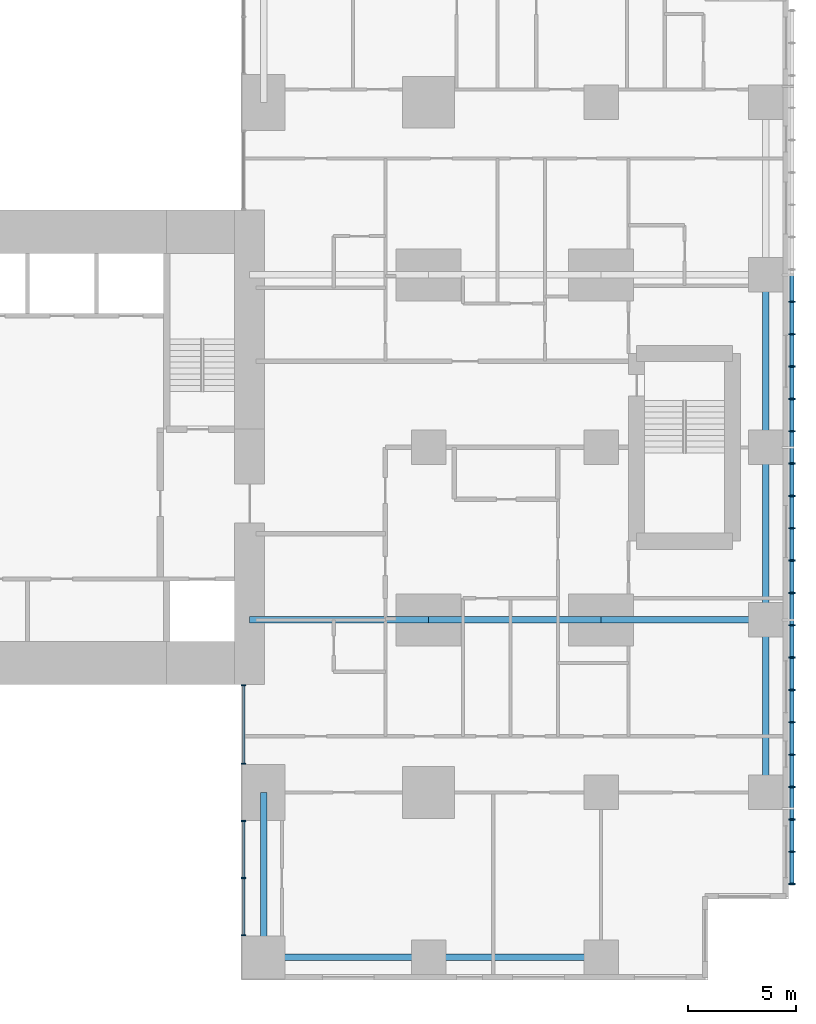
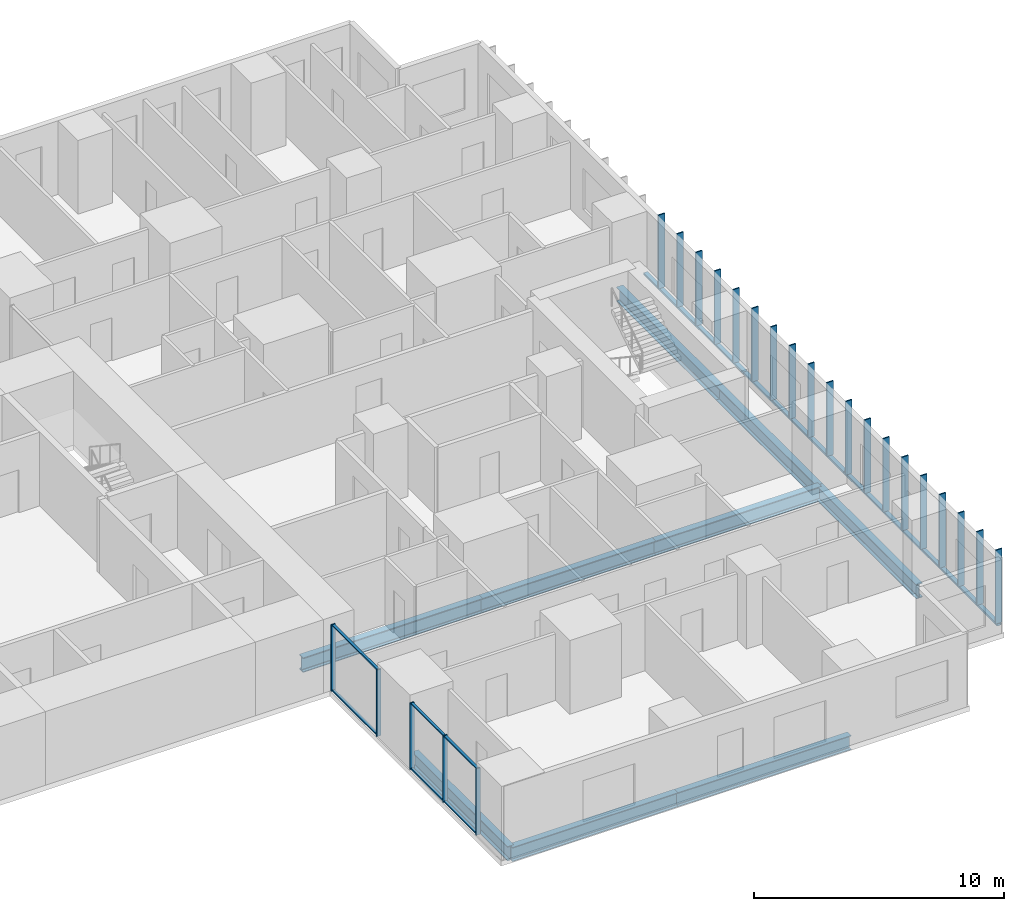
# One storey, part 2 of 12: 33 members, 9 beams, 2 elements without a shape of their own.
"""IFC4 building model written with IfcOpenShell, lengths in metres."""

from ifc_helpers import new_model, si_unit, direction, frame, origin, origin_2d, place, context, subcontext, project, spatial, rectangle, hollow_rectangle, i_section, extrude, material, layer, layer_set, material_profile, profile_set, type_object, element, aggregate, save


model = new_model("IFC4")

# Units and contexts
model_context = context("Model", 3, precision=1e-05, world=origin(), true_north=direction((0.0, 1.0)))
body_context = subcontext(model_context, "Body", "Model", "MODEL_VIEW")
ifc_project = project(units=[si_unit("LENGTHUNIT", "METRE"), si_unit("AREAUNIT", "SQUARE_METRE"), si_unit("VOLUMEUNIT", "CUBIC_METRE"), si_unit("PLANEANGLEUNIT", "RADIAN"), si_unit("MASSUNIT", "GRAM", prefix="KILO")], contexts=[model_context])

# Site, building, storey
site_placement = place(None, origin())
site = spatial("IfcSite", under=ifc_project, at=site_placement, CompositionType="ELEMENT")
building_placement = place(site_placement, origin())
building = spatial("IfcBuilding", under=site, at=building_placement, Name="Cleftline Residences", CompositionType="ELEMENT")
storey_placement = place(building_placement, frame((0.0, 0.0, 273.60009765625)))
storey = spatial("IfcBuildingStorey", under=building, at=storey_placement, Name="L72", CompositionType="ELEMENT", Elevation=273.60009765625)

# Members
ifc_material_1 = material(Name="Steel S355, hot-dip galvanised", Category="steel")
ifc_material_profile_1 = material_profile(ifc_material_1, hollow_rectangle(XDim=0.10009765625, YDim=0.199951171875, WallThickness=0.008056640625, InnerFilletRadius=0.008056640625, OuterFilletRadius=0.011962890625, at=origin_2d()))
ifc_profile_set_1 = profile_set([ifc_material_profile_1], Name="Steel S355, hot-dip galvanised")
member_type_1 = type_object("IfcMemberType", Name="BAGUETTE CARRIER RHS 200X100X8", PredefinedType="USERDEFINED", material=ifc_profile_set_1)
member_1_placement = place(storey_placement, frame((66.85009765625, 3.699951171875, -0.050048828125), z_axis=(0.0, 1.0, 0.0), x_axis=(0.0, 0.0, 1.0)))
element("IfcMember", 1, at=member_1_placement, inside=storey, type_object=member_type_1, Name="Baguette carrier", ObjectType="BAGUETTE CARRIER", PredefinedType="USERDEFINED", context=body_context, shape_type="SweptSolid", body=[
    extrude(hollow_rectangle(XDim=0.10009765625, YDim=0.199951171875, WallThickness=0.008056640625, InnerFilletRadius=0.008056640625, OuterFilletRadius=0.011962890625, at=origin_2d()), origin(), (0.0, 0.0, 1.0), 12.300048828125),
])
for number, where, z_axis, x_axis, name in (
    (2, (66.85009765625, 16.0, -0.050048828125), (0.0, 1.0, 0.0), (0.0, 0.0, 1.0), "Baguette carrier"),
    (3, (66.85009765625, 24.0, -0.050048828125), (0.0, 1.0, 0.0), (0.0, 0.0, 1.0), "Baguette carrier"),
):
    element("IfcMember", number, at=place(storey_placement, frame(where, z_axis=z_axis, x_axis=x_axis)), inside=storey, type_object=member_type_1, Name=name, ObjectType="BAGUETTE CARRIER", PredefinedType="USERDEFINED", context=body_context, shape_type="SweptSolid", body=[
        extrude(hollow_rectangle(XDim=0.10009765625, YDim=0.199951171875, WallThickness=0.008056640625, InnerFilletRadius=0.008056640625, OuterFilletRadius=0.011962890625, at=origin_2d()), origin(), (0.0, 0.0, 1.0), 8.0),
    ])

# Beams
ifc_material_2 = material(Name="Steel S355", Category="steel")
ifc_material_profile_2 = material_profile(ifc_material_2, i_section(OverallWidth=0.300048828125, OverallDepth=0.699951171875, WebThickness=0.01708984375, FlangeThickness=0.031982421875, FilletRadius=0.027099609375, at=origin_2d()))
ifc_profile_set_2 = profile_set([ifc_material_profile_2], Name="Steel S355")
beam_type_1 = type_object("IfcBeamType", Name="BEAM HEB 700", PredefinedType="BEAM", material=ifc_profile_set_2)
for number, where, z_axis, x_axis, name in (
    (4, (65.64990234375, 8.0, -0.60009765625), (0.0, 1.0, 0.0), (-1.0, 0.0, 0.0), "Edge beam"),
    (5, (65.64990234375, 16.0, -0.60009765625), (0.0, 1.0, 0.0), (-1.0, 0.0, 0.0), "Edge beam"),
    (6, (65.64990234375, 24.0, -0.60009765625), (0.0, 1.0, 0.0), (-1.0, 0.0, 0.0), "Edge beam"),
    (7, (58.0, 0.35009765625, -0.60009765625), (-1.0, 0.0, 0.0), (0.0, -1.0, 0.0), "Edge beam"),
):
    element("IfcBeam", number, at=place(storey_placement, frame(where, z_axis=z_axis, x_axis=x_axis)), inside=storey, type_object=beam_type_1, Name=name, PredefinedType="BEAM", context=body_context, shape_type="SweptSolid", body=[
        extrude(i_section(OverallWidth=0.300048828125, OverallDepth=0.699951171875, WebThickness=0.01708984375, FlangeThickness=0.031982421875, FilletRadius=0.027099609375, at=origin_2d()), origin(), (0.0, 0.0, 1.0), 8.0),
    ])
for number, where, z_axis, x_axis, name in (
    (8, (50.0, 0.35009765625, -0.60009765625), (-1.0, 0.0, 0.0), (0.0, -1.0, 0.0), "Edge beam"),
    (9, (42.35009765625, 0.35009765625, -0.60009765625), (0.0, 1.0, 0.0), (-1.0, 0.0, 0.0), "Edge beam"),
):
    element("IfcBeam", number, at=place(storey_placement, frame(where, z_axis=z_axis, x_axis=x_axis)), inside=storey, type_object=beam_type_1, Name=name, PredefinedType="BEAM", context=body_context, shape_type="SweptSolid", body=[
        extrude(i_section(OverallWidth=0.300048828125, OverallDepth=0.699951171875, WebThickness=0.01708984375, FlangeThickness=0.031982421875, FilletRadius=0.027099609375, at=origin_2d()), origin(), (0.0, 0.0, 1.0), 7.64990234375),
    ])
ifc_material_3 = material(Name="Steel S355", Category="steel")
ifc_material_profile_3 = material_profile(ifc_material_3, i_section(OverallWidth=0.303955078125, OverallDepth=0.716064453125, WebThickness=0.02099609375, FlangeThickness=0.0400390625, FilletRadius=0.027099609375, at=origin_2d()))
ifc_profile_set_3 = profile_set([ifc_material_profile_3], Name="Steel S355")
beam_type_2 = type_object("IfcBeamType", Name="BEAM HEM 700", PredefinedType="BEAM", material=ifc_profile_set_3)
beam_1_placement = place(storey_placement, frame((65.64990234375, 16.0, -0.608154296875), z_axis=(-1.0, 0.0, 0.0), x_axis=(0.0, -1.0, 0.0)))
element("IfcBeam", 10, at=beam_1_placement, inside=storey, type_object=beam_type_2, Name="Band beam", PredefinedType="BEAM", context=body_context, shape_type="SweptSolid", body=[
    extrude(i_section(OverallWidth=0.303955078125, OverallDepth=0.716064453125, WebThickness=0.02099609375, FlangeThickness=0.0400390625, FilletRadius=0.027099609375, at=origin_2d()), origin(), (0.0, 0.0, 1.0), 7.64990234375),
])
beam_2_placement = place(storey_placement, frame((58.0, 16.0, -0.608154296875), z_axis=(-1.0, 0.0, 0.0), x_axis=(0.0, -1.0, 0.0)))
element("IfcBeam", 11, at=beam_2_placement, inside=storey, type_object=beam_type_2, Name="Band beam", PredefinedType="BEAM", context=body_context, shape_type="SweptSolid", body=[
    extrude(i_section(OverallWidth=0.303955078125, OverallDepth=0.716064453125, WebThickness=0.02099609375, FlangeThickness=0.0400390625, FilletRadius=0.027099609375, at=origin_2d()), origin(), (0.0, 0.0, 1.0), 8.0),
])
beam_3_placement = place(storey_placement, frame((50.0, 16.0, -0.608154296875), z_axis=(-1.0, 0.0, 0.0), x_axis=(0.0, -1.0, 0.0)))
element("IfcBeam", 12, at=beam_3_placement, inside=storey, type_object=beam_type_2, Name="Band beam", PredefinedType="BEAM", context=body_context, shape_type="SweptSolid", body=[
    extrude(i_section(OverallWidth=0.303955078125, OverallDepth=0.716064453125, WebThickness=0.02099609375, FlangeThickness=0.0400390625, FilletRadius=0.027099609375, at=origin_2d()), origin(), (0.0, 0.0, 1.0), 8.300048828125),
])

# Curtain wall, members
ifc_material_4 = material(Name="Aluminium framed curtain wall", Category="aluminium")
ifc_layer = layer(ifc_material_4, 0.199951171875)
ifc_layer_set = layer_set([ifc_layer], Name="CW1 CLEFT GLAZING")
curtain_wall_type = type_object("IfcCurtainWallType", Name="CW1 CLEFT GLAZING", PredefinedType="NOTDEFINED", material=ifc_layer_set)
curtain_wall_1_placement = place(storey_placement, origin())
curtain_wall_1 = element("IfcCurtainWall", 13, at=curtain_wall_1_placement, inside=storey, type_object=curtain_wall_type, Name="Curtain wall CW1", PredefinedType="NOTDEFINED")
ifc_material_5 = material(Name="Aluminium mullion", Category="aluminium")
ifc_material_profile_4 = material_profile(ifc_material_5, rectangle(XDim=0.199951171875, YDim=0.06005859375, at=origin_2d()))
ifc_profile_set_4 = profile_set([ifc_material_profile_4], Name="Aluminium mullion")
member_type_2 = type_object("IfcMemberType", Name="CW1 MULLION", PredefinedType="MULLION", material=ifc_profile_set_4)
member_2_placement = place(storey_placement, frame((41.425048828125, 12.969970703125, 0.0), z_axis=(0.0, 0.0, 1.0), x_axis=(1.0, 0.0, 0.0)))
member_2 = element("IfcMember", 14, at=member_2_placement, type_object=member_type_2, Name="CW1 mullion 1", PredefinedType="MULLION", context=body_context, shape_type="SweptSolid", body=[
    extrude(rectangle(XDim=0.199951171875, YDim=0.06005859375, at=origin_2d()), origin(), (0.0, 0.0, 1.0), 3.25),
])
member_3_placement = place(storey_placement, frame((41.425048828125, 9.330078125, 0.0), z_axis=(0.0, 0.0, 1.0), x_axis=(1.0, 0.0, 0.0)))
member_3 = element("IfcMember", 15, at=member_3_placement, type_object=member_type_2, Name="CW1 mullion 2", PredefinedType="MULLION", context=body_context, shape_type="SweptSolid", body=[
    extrude(rectangle(XDim=0.199951171875, YDim=0.06005859375, at=origin_2d()), origin(), (0.0, 0.0, 1.0), 3.25),
])

curtain_wall_2_placement = place(storey_placement, origin())
curtain_wall_2 = element("IfcCurtainWall", 16, at=curtain_wall_2_placement, inside=storey, type_object=curtain_wall_type, Name="Curtain wall CW1", PredefinedType="NOTDEFINED")
member_4_placement = place(storey_placement, frame((41.425048828125, 6.669921875, 0.0), z_axis=(0.0, 0.0, 1.0), x_axis=(1.0, 0.0, 0.0)))
member_4 = element("IfcMember", 17, at=member_4_placement, type_object=member_type_2, Name="CW1 mullion 1", PredefinedType="MULLION", context=body_context, shape_type="SweptSolid", body=[
    extrude(rectangle(XDim=0.199951171875, YDim=0.06005859375, at=origin_2d()), origin(), (0.0, 0.0, 1.0), 3.25),
])
member_5_placement = place(storey_placement, frame((41.425048828125, 4.02490234375, 0.0), z_axis=(0.0, 0.0, 1.0), x_axis=(1.0, 0.0, 0.0)))
member_5 = element("IfcMember", 18, at=member_5_placement, type_object=member_type_2, Name="CW1 mullion 2", PredefinedType="MULLION", context=body_context, shape_type="SweptSolid", body=[
    extrude(rectangle(XDim=0.199951171875, YDim=0.06005859375, at=origin_2d()), origin(), (0.0, 0.0, 1.0), 3.25),
])
member_6_placement = place(storey_placement, frame((41.425048828125, 1.3798828125, 0.0), z_axis=(0.0, 0.0, 1.0), x_axis=(1.0, 0.0, 0.0)))
member_6 = element("IfcMember", 19, at=member_6_placement, type_object=member_type_2, Name="CW1 mullion 3", PredefinedType="MULLION", context=body_context, shape_type="SweptSolid", body=[
    extrude(rectangle(XDim=0.199951171875, YDim=0.06005859375, at=origin_2d()), origin(), (0.0, 0.0, 1.0), 3.25),
])

# Member
ifc_material_6 = material(Name="Aluminium transom", Category="aluminium")
ifc_material_profile_5 = material_profile(ifc_material_6, rectangle(XDim=0.1201171875, YDim=0.06005859375, at=origin_2d()))
ifc_profile_set_5 = profile_set([ifc_material_profile_5], Name="Aluminium transom")
member_type_3 = type_object("IfcMemberType", Name="CW1 TRANSOM", PredefinedType="USERDEFINED", material=ifc_profile_set_5)
member_7_placement = place(storey_placement, frame((41.425048828125, 12.93994140625, 0.02978515625), z_axis=(0.0, -1.0, 0.0), x_axis=(1.0, 0.0, 0.0)))
member_7 = element("IfcMember", 20, at=member_7_placement, type_object=member_type_3, Name="CW1 transom 1.1", ObjectType="TRANSOM", PredefinedType="USERDEFINED", context=body_context, shape_type="SweptSolid", body=[
    extrude(rectangle(XDim=0.1201171875, YDim=0.06005859375, at=origin_2d()), origin(), (0.0, 0.0, 1.0), 3.579833984375),
])

member_8_placement = place(storey_placement, frame((41.425048828125, 12.93994140625, 3.219970703125), z_axis=(0.0, -1.0, 0.0), x_axis=(1.0, 0.0, 0.0)))
member_8 = element("IfcMember", 21, at=member_8_placement, type_object=member_type_3, Name="CW1 transom 1.2", ObjectType="TRANSOM", PredefinedType="USERDEFINED", context=body_context, shape_type="SweptSolid", body=[
    extrude(rectangle(XDim=0.1201171875, YDim=0.06005859375, at=origin_2d()), origin(), (0.0, 0.0, 1.0), 3.579833984375),
])

aggregate(curtain_wall_1, [member_2, member_3, member_7, member_8])

member_9_placement = place(storey_placement, frame((41.425048828125, 6.639892578125, 0.02978515625), z_axis=(0.0, -1.0, 0.0), x_axis=(1.0, 0.0, 0.0)))
member_9 = element("IfcMember", 22, at=member_9_placement, type_object=member_type_3, Name="CW1 transom 1.1", ObjectType="TRANSOM", PredefinedType="USERDEFINED", context=body_context, shape_type="SweptSolid", body=[
    extrude(rectangle(XDim=0.1201171875, YDim=0.06005859375, at=origin_2d()), origin(), (0.0, 0.0, 1.0), 2.5849609375),
])

member_10_placement = place(storey_placement, frame((41.425048828125, 6.639892578125, 3.219970703125), z_axis=(0.0, -1.0, 0.0), x_axis=(1.0, 0.0, 0.0)))
member_10 = element("IfcMember", 23, at=member_10_placement, type_object=member_type_3, Name="CW1 transom 1.2", ObjectType="TRANSOM", PredefinedType="USERDEFINED", context=body_context, shape_type="SweptSolid", body=[
    extrude(rectangle(XDim=0.1201171875, YDim=0.06005859375, at=origin_2d()), origin(), (0.0, 0.0, 1.0), 2.5849609375),
])

member_11_placement = place(storey_placement, frame((41.425048828125, 3.9951171875, 0.02978515625), z_axis=(0.0, -1.0, 0.0), x_axis=(1.0, 0.0, 0.0)))
member_11 = element("IfcMember", 24, at=member_11_placement, type_object=member_type_3, Name="CW1 transom 2.1", ObjectType="TRANSOM", PredefinedType="USERDEFINED", context=body_context, shape_type="SweptSolid", body=[
    extrude(rectangle(XDim=0.1201171875, YDim=0.06005859375, at=origin_2d()), origin(), (0.0, 0.0, 1.0), 2.585205078125),
])

member_12_placement = place(storey_placement, frame((41.425048828125, 3.9951171875, 3.219970703125), z_axis=(0.0, -1.0, 0.0), x_axis=(1.0, 0.0, 0.0)))
member_12 = element("IfcMember", 25, at=member_12_placement, type_object=member_type_3, Name="CW1 transom 2.2", ObjectType="TRANSOM", PredefinedType="USERDEFINED", context=body_context, shape_type="SweptSolid", body=[
    extrude(rectangle(XDim=0.1201171875, YDim=0.06005859375, at=origin_2d()), origin(), (0.0, 0.0, 1.0), 2.585205078125),
])

aggregate(curtain_wall_2, [member_4, member_5, member_6, member_9, member_10, member_11, member_12])

# Members
ifc_material_7 = material(Name="Extruded terracotta", Category="masonry")
ifc_material_profile_6 = material_profile(ifc_material_7, rectangle(XDim=0.06005859375, YDim=0.300048828125, at=origin_2d()))
ifc_profile_set_6 = profile_set([ifc_material_profile_6], Name="Extruded terracotta")
member_type_4 = type_object("IfcMemberType", Name="TERRACOTTA BAGUETTE 60X300", PredefinedType="USERDEFINED", material=ifc_profile_set_6)
for number, where, z_axis, x_axis, name in (
    (26, (66.85009765625, 3.75, 0.0), (0.0, 0.0, 1.0), (0.0, 1.0, 0.0), "Terracotta baguette"),
    (27, (66.85009765625, 5.25, 0.0), (0.0, 0.0, 1.0), (0.0, 1.0, 0.0), "Terracotta baguette"),
    (28, (66.85009765625, 6.75, 0.0), (0.0, 0.0, 1.0), (0.0, 1.0, 0.0), "Terracotta baguette"),
    (29, (66.85009765625, 8.25, 0.0), (0.0, 0.0, 1.0), (0.0, 1.0, 0.0), "Terracotta baguette"),
    (30, (66.85009765625, 9.75, 0.0), (0.0, 0.0, 1.0), (0.0, 1.0, 0.0), "Terracotta baguette"),
    (31, (66.85009765625, 11.25, 0.0), (0.0, 0.0, 1.0), (0.0, 1.0, 0.0), "Terracotta baguette"),
    (32, (66.85009765625, 12.75, 0.0), (0.0, 0.0, 1.0), (0.0, 1.0, 0.0), "Terracotta baguette"),
    (33, (66.85009765625, 14.25, 0.0), (0.0, 0.0, 1.0), (0.0, 1.0, 0.0), "Terracotta baguette"),
    (34, (66.85009765625, 15.75, 0.0), (0.0, 0.0, 1.0), (0.0, 1.0, 0.0), "Terracotta baguette"),
    (35, (66.85009765625, 17.25, 0.0), (0.0, 0.0, 1.0), (0.0, 1.0, 0.0), "Terracotta baguette"),
    (36, (66.85009765625, 18.75, 0.0), (0.0, 0.0, 1.0), (0.0, 1.0, 0.0), "Terracotta baguette"),
    (37, (66.85009765625, 20.25, 0.0), (0.0, 0.0, 1.0), (0.0, 1.0, 0.0), "Terracotta baguette"),
    (38, (66.85009765625, 21.75, 0.0), (0.0, 0.0, 1.0), (0.0, 1.0, 0.0), "Terracotta baguette"),
    (39, (66.85009765625, 23.25, 0.0), (0.0, 0.0, 1.0), (0.0, 1.0, 0.0), "Terracotta baguette"),
    (40, (66.85009765625, 24.75, 0.0), (0.0, 0.0, 1.0), (0.0, 1.0, 0.0), "Terracotta baguette"),
    (41, (66.85009765625, 26.25, 0.0), (0.0, 0.0, 1.0), (0.0, 1.0, 0.0), "Terracotta baguette"),
    (42, (66.85009765625, 27.75, 0.0), (0.0, 0.0, 1.0), (0.0, 1.0, 0.0), "Terracotta baguette"),
    (43, (66.85009765625, 29.25, 0.0), (0.0, 0.0, 1.0), (0.0, 1.0, 0.0), "Terracotta baguette"),
    (44, (66.85009765625, 30.75, 0.0), (0.0, 0.0, 1.0), (0.0, 1.0, 0.0), "Terracotta baguette"),
):
    element("IfcMember", number, at=place(storey_placement, frame(where, z_axis=z_axis, x_axis=x_axis)), inside=storey, type_object=member_type_4, Name=name, ObjectType="BAGUETTE", PredefinedType="USERDEFINED", context=body_context, shape_type="SweptSolid", body=[
        extrude(rectangle(XDim=0.06005859375, YDim=0.300048828125, at=origin_2d()), origin(), (0.0, 0.0, 1.0), 3.599853515625),
    ])

save(model, "model.ifc")
